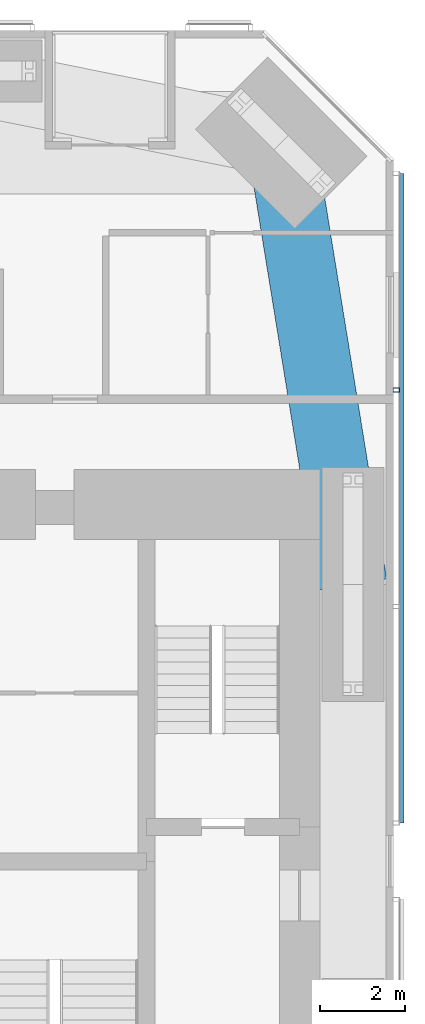
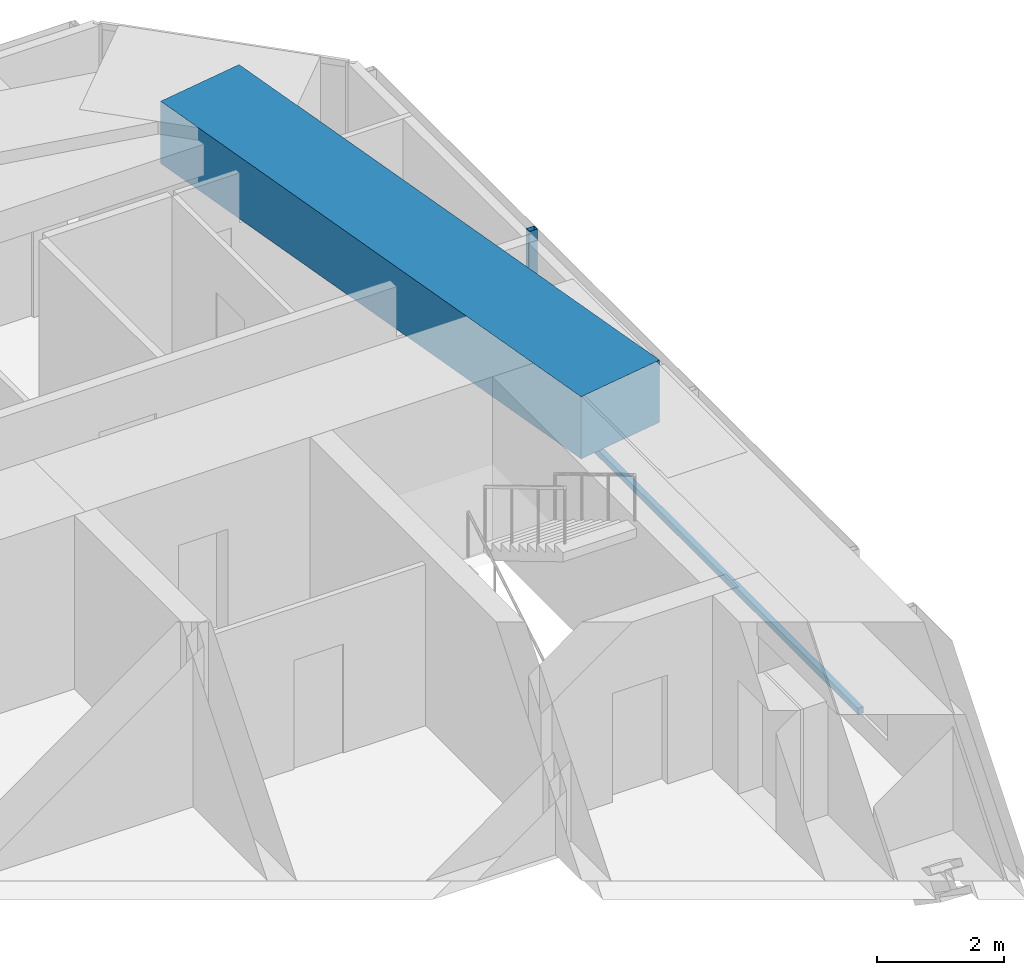
# One storey, part 11 of 24: 2 members, 1 beam, 1 element without a shape of its own.
"""IFC4 building model written with IfcOpenShell, lengths in metres."""

from ifc_helpers import new_model, si_unit, direction, frame, origin, origin_2d, place, context, subcontext, project, spatial, rectangle, hollow_rectangle, extrude, material, material_profile, profile_set, type_object, element, aggregate, save


model = new_model("IFC4")

# Units and contexts
model_context = context("Model", 3, precision=1e-05, world=origin(), true_north=direction((0.0, 1.0)))
body_context = subcontext(model_context, "Body", "Model", "MODEL_VIEW")
ifc_project = project(units=[si_unit("LENGTHUNIT", "METRE"), si_unit("AREAUNIT", "SQUARE_METRE"), si_unit("VOLUMEUNIT", "CUBIC_METRE"), si_unit("PLANEANGLEUNIT", "RADIAN"), si_unit("MASSUNIT", "GRAM", prefix="KILO")], contexts=[model_context])

# Site, building, storey
site_placement = place(None, origin())
site = spatial("IfcSite", under=ifc_project, at=site_placement, CompositionType="ELEMENT")
building_placement = place(site_placement, origin())
building = spatial("IfcBuilding", under=site, at=building_placement, Name="Jalousie Tower", CompositionType="ELEMENT")
storey_placement = place(building_placement, frame((0.0, 0.0, 54.5)))
storey = spatial("IfcBuildingStorey", under=building, at=storey_placement, Name="L14", CompositionType="ELEMENT", Elevation=54.5)

# Beam
ifc_material_1 = material(Name="Concrete f'c 40 MPa", Category="concrete")
ifc_material_profile_1 = material_profile(ifc_material_1, rectangle(XDim=1.60009765625, YDim=1.199951171875, at=origin_2d()), Name="RC 1600x1200")
ifc_profile_set_1 = profile_set([ifc_material_profile_1], Name="Concrete f'c 40 MPa")
beam_type = type_object("IfcBeamType", Name="RC BEAM 1600x1200", PredefinedType="BEAM", material=ifc_profile_set_1)
beam_placement = place(storey_placement, frame((45.050048828125, 25.0, 2.75), z_axis=(-0.160070546476, 0.987105577003, 0.0), x_axis=(-0.987105577003, -0.160070546476, 0.0)))
element("IfcBeam", 1, at=beam_placement, inside=storey, type_object=beam_type, Name="Edge band beam 07-08 under L15", PredefinedType="BEAM", context=body_context, shape_type="SweptSolid", body=[
    extrude(rectangle(XDim=1.60009765625, YDim=1.199951171875, at=origin_2d()), origin(), (0.0, 0.0, 1.0), 10.504150390625),
])

# Curtain wall, members
ifc_material_2 = material(Name="Perforated aluminium sheet", Category="aluminium")
curtain_wall_type = type_object("IfcCurtainWallType", Name="SOLAR SCREEN SS-1", PredefinedType="USERDEFINED", material=ifc_material_2)
curtain_wall_placement = place(storey_placement, origin())
curtain_wall = element("IfcCurtainWall", 2, at=curtain_wall_placement, inside=storey, type_object=curtain_wall_type, Name="Solar screen L14", ObjectType="SOLAR SCREEN SS-1", PredefinedType="USERDEFINED")
ifc_material_3 = material(Name="Steel ASTM A500 Grade C", Category="steel")
ifc_material_profile_2 = material_profile(ifc_material_3, hollow_rectangle(XDim=0.1015625, YDim=0.15234375, WallThickness=0.00634765625, at=origin_2d()), Name="HSS6X4X1/4")
ifc_profile_set_2 = profile_set([ifc_material_profile_2], Name="Steel ASTM A500 Grade C")
member_type_1 = type_object("IfcMemberType", Name="SOLAR SCREEN SS-1 MULLION", PredefinedType="MULLION", material=ifc_profile_set_2)
member_1_placement = place(storey_placement, frame((46.0712890625, 29.56591796875, -0.1201171875), z_axis=(0.0, 0.0, 1.0), x_axis=(0.0, 1.0, 0.0)))
member_1 = element("IfcMember", 3, at=member_1_placement, type_object=member_type_1, Name="SS1 post 3", PredefinedType="MULLION", context=body_context, shape_type="SweptSolid", body=[
    extrude(hollow_rectangle(XDim=0.1015625, YDim=0.15234375, WallThickness=0.00634765625, at=origin_2d()), origin(), (0.0, 0.0, 1.0), 3.230224609375),
])
ifc_material_4 = material(Name="Extruded aluminium screen rail", Category="aluminium")
ifc_material_profile_3 = material_profile(ifc_material_4, rectangle(XDim=0.1015625, YDim=0.1201171875, at=origin_2d()), Name="RAIL 102x120")
ifc_profile_set_3 = profile_set([ifc_material_profile_3], Name="Extruded aluminium screen rail")
member_type_2 = type_object("IfcMemberType", Name="SOLAR SCREEN SS-1 TRANSOM", PredefinedType="USERDEFINED", material=ifc_profile_set_3)
member_2_placement = place(storey_placement, frame((46.1982421875, 19.39990234375, -0.06005859375), z_axis=(0.0, 1.0, 0.0), x_axis=(-1.0, 0.0, 0.0)))
member_2 = element("IfcMember", 4, at=member_2_placement, type_object=member_type_2, Name="SS1 rail", ObjectType="TRANSOM", PredefinedType="USERDEFINED", context=body_context, shape_type="SweptSolid", body=[
    extrude(rectangle(XDim=0.1015625, YDim=0.1201171875, at=origin_2d()), origin(), (0.0, 0.0, 1.0), 15.248779296875),
])
aggregate(curtain_wall, [member_1, member_2])

save(model, "model.ifc")
